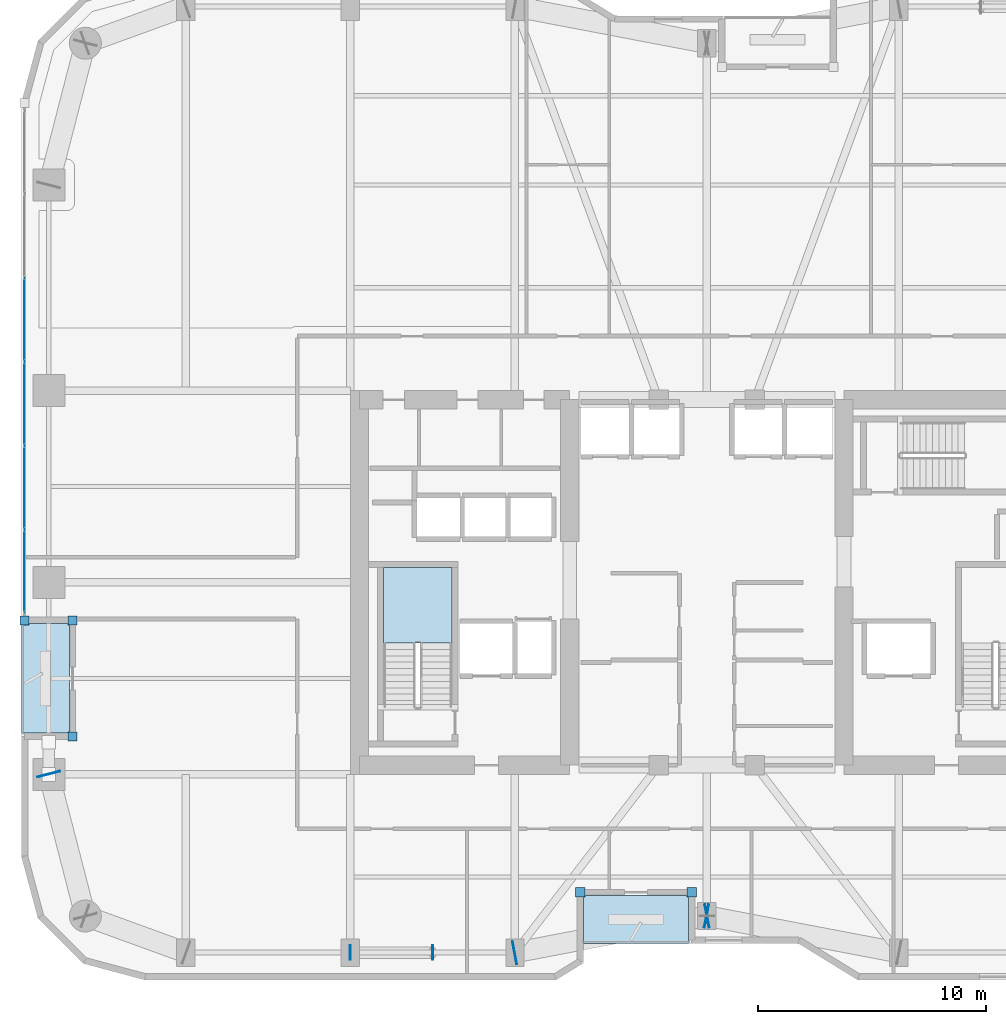
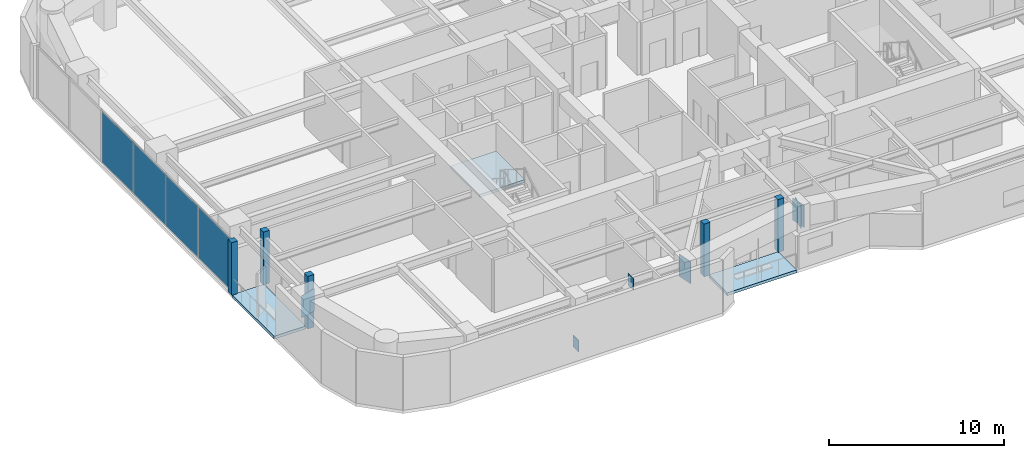
# One storey, part 21 of 31: 15 plates, 3 slabs, 2 elements without a shape of their own.
"""IFC4 building model written with IfcOpenShell, lengths in metres."""

from ifc_helpers import new_model, si_unit, direction, frame, origin, origin_2d, place, context, subcontext, project, spatial, polyline, rectangle, outline, extrude, material, layer, layer_set, type_object, element, aggregate, save


model = new_model("IFC4")

# Units and contexts
model_context = context("Model", 3, precision=1e-05, world=origin(), true_north=direction((0.0, 1.0)))
body_context = subcontext(model_context, "Body", "Model", "MODEL_VIEW")
ifc_project = project(units=[si_unit("LENGTHUNIT", "METRE"), si_unit("AREAUNIT", "SQUARE_METRE"), si_unit("VOLUMEUNIT", "CUBIC_METRE"), si_unit("PLANEANGLEUNIT", "RADIAN"), si_unit("MASSUNIT", "GRAM", prefix="KILO")], contexts=[model_context])

# Site, building, storey
site_placement = place(None, origin())
site = spatial("IfcSite", under=ifc_project, at=site_placement, CompositionType="ELEMENT")
building_placement = place(site_placement, origin())
building = spatial("IfcBuilding", under=site, at=building_placement, Name="Kiyonajd Concourse Tower", CompositionType="ELEMENT")
storey_placement = place(building_placement, frame((0.0, 0.0, 158.39990234375)))
storey = spatial("IfcBuildingStorey", under=building, at=storey_placement, Name="L40", CompositionType="ELEMENT", Elevation=158.39990234375)

# Plates
ifc_material_1 = material(Name="Steel ASTM A572 Grade 50", Category="steel")
ifc_layer_1 = layer(ifc_material_1, 0.028076171875)
ifc_layer_set_1 = layer_set([ifc_layer_1], Name="Steel ASTM A572 Grade 50")
plate_type_1 = type_object("IfcPlateType", Name="PL-CAP-450", PredefinedType="USERDEFINED", material=ifc_layer_set_1)
for number, where, z_axis, x_axis, name in (
    (1, (32.3916015625, 19.800048828125, -0.10888671875), (0.0, 0.0, 1.0), (-1.0, 0.0, 0.0), "L40 Hollow Brace End Cap Plate PBS"),
    (2, (36.00830078125, 19.800048828125, 2.93505859375), (0.0, 0.0, 1.0), (1.0, 0.0, 0.0), "L40 Hollow Brace Top Cap Plate PBS"),
):
    element("IfcPlate", number, at=place(storey_placement, frame(where, z_axis=z_axis, x_axis=x_axis)), inside=storey, type_object=plate_type_1, Name=name, ObjectType="CAP PLATE", PredefinedType="USERDEFINED", context=body_context, shape_type="SweptSolid", body=[
        extrude(rectangle(XDim=0.035888671875, YDim=0.6279296875, at=origin_2d()), origin(), (0.0, 0.0, 1.0), 0.803955078125),
    ])
ifc_layer_2 = layer(ifc_material_1, 0.031982421875)
ifc_layer_set_2 = layer_set([ifc_layer_2], Name="Steel ASTM A572 Grade 50")
plate_type_2 = type_object("IfcPlateType", Name="PL-CAP-540", PredefinedType="USERDEFINED", material=ifc_layer_set_2)
for number, where, z_axis, x_axis, name in (
    (3, (19.197265625, 27.610595703125, 2.2099609375), (0.0, 0.0, 1.0), (-0.249873048837, 0.968278606324, 0.0), "L40 Welded Box Girder End Cap"),
    (4, (39.589111328125, 19.7978515625, 2.2099609375), (0.0, 0.0, 1.0), (-0.982352599301, -0.187038420242, 0.0), "L40 Welded Box Girder End Cap"),
    (5, (48.0107421875, 21.402099609375, 2.2099609375), (0.0, 0.0, 1.0), (0.982352599301, 0.187038420242, 0.0), "L40 Welded Box Girder End Cap"),
    (6, (47.9892578125, 21.402099609375, 2.2099609375), (0.0, 0.0, 1.0), (-0.982352599301, 0.187038420242, 0.0), "L40 Welded Box Girder End Cap"),
):
    element("IfcPlate", number, at=place(storey_placement, frame(where, z_axis=z_axis, x_axis=x_axis)), inside=storey, type_object=plate_type_2, Name=name, ObjectType="CAP PLATE", PredefinedType="USERDEFINED", context=body_context, shape_type="SweptSolid", body=[
        extrude(rectangle(XDim=0.035888671875, YDim=1.02001953125, at=origin_2d()), origin(), (0.0, 0.0, 1.0), 1.5400390625),
    ])

# Curtain wall, plates
ifc_material_2 = material(Name="Thermally Broken Anodised Aluminium", Category="aluminium")
ifc_layer_3 = layer(ifc_material_2, 0.179931640625)
ifc_layer_set_3 = layer_set([ifc_layer_3], Name="Thermally Broken Anodised Aluminium")
curtain_wall_type = type_object("IfcCurtainWallType", Name="CW-SYS-03", PredefinedType="NOTDEFINED", material=ifc_layer_set_3)
curtain_wall_placement = place(storey_placement, origin())
curtain_wall = element("IfcCurtainWall", 7, at=curtain_wall_placement, inside=storey, type_object=curtain_wall_type, Name="L40 Unitised Curtain Wall CW3", PredefinedType="NOTDEFINED")
ifc_material_3 = material(Name="Double Low-E Insulated Glass", Category="glass")
ifc_layer_4 = layer(ifc_material_3, 0.033935546875)
ifc_layer_set_4 = layer_set([ifc_layer_4], Name="Double Low-E Insulated Glass")
plate_type_3 = type_object("IfcPlateType", Name="PL-CW-VIS34", PredefinedType="CURTAIN_PANEL", material=ifc_layer_set_4)
plate_1_placement = place(storey_placement, frame((18.139892578125, 36.484619140625, 0.06494140625), z_axis=(0.0, 0.0, 1.0), x_axis=(0.0, 1.0, 0.0)))
plate_1 = element("IfcPlate", 8, at=plate_1_placement, type_object=plate_type_3, Name="CW3 panel 1.1", PredefinedType="CURTAIN_PANEL", context=body_context, shape_type="SweptSolid", body=[
    extrude(rectangle(XDim=3.579345703125, YDim=0.033935546875, at=origin_2d()), origin(), (0.0, 0.0, 1.0), 3.550048828125),
])
plate_2_placement = place(storey_placement, frame((18.139892578125, 40.1455078125, 0.06494140625), z_axis=(0.0, 0.0, 1.0), x_axis=(0.0, 1.0, 0.0)))
plate_2 = element("IfcPlate", 9, at=plate_2_placement, type_object=plate_type_3, Name="CW3 panel 2.1", PredefinedType="CURTAIN_PANEL", context=body_context, shape_type="SweptSolid", body=[
    extrude(rectangle(XDim=3.61181640625, YDim=0.033935546875, at=origin_2d()), origin(), (0.0, 0.0, 1.0), 3.550048828125),
])
plate_3_placement = place(storey_placement, frame((18.139892578125, 43.822265625, 0.06494140625), z_axis=(0.0, 0.0, 1.0), x_axis=(0.0, 1.0, 0.0)))
plate_3 = element("IfcPlate", 10, at=plate_3_placement, type_object=plate_type_3, Name="CW3 panel 3.1", PredefinedType="CURTAIN_PANEL", context=body_context, shape_type="SweptSolid", body=[
    extrude(rectangle(XDim=3.61181640625, YDim=0.033935546875, at=origin_2d()), origin(), (0.0, 0.0, 1.0), 3.550048828125),
])
plate_4_placement = place(storey_placement, frame((18.139892578125, 47.499267578125, 0.06494140625), z_axis=(0.0, 0.0, 1.0), x_axis=(0.0, 1.0, 0.0)))
plate_4 = element("IfcPlate", 11, at=plate_4_placement, type_object=plate_type_3, Name="CW3 panel 4.1", PredefinedType="CURTAIN_PANEL", context=body_context, shape_type="SweptSolid", body=[
    extrude(rectangle(XDim=3.61181640625, YDim=0.033935546875, at=origin_2d()), origin(), (0.0, 0.0, 1.0), 3.550048828125),
])
aggregate(curtain_wall, [plate_1, plate_2, plate_3, plate_4])

# Plates
ifc_layer_5 = layer(ifc_material_2, 0.39990234375)
ifc_layer_set_5 = layer_set([ifc_layer_5], Name="Thermally Broken Anodised Aluminium")
plate_type_4 = type_object("IfcPlateType", Name="PL-JMB-400", PredefinedType="USERDEFINED", material=ifc_layer_set_5)
for number, where, z_axis, x_axis, name in (
    (12, (20.239990234375, 29.260009765625, 0.0), (0.0, 0.0, 1.0), (1.0, 0.0, 0.0), "L40 Facade Jamb Closure Plate 01"),
    (13, (20.239990234375, 34.340087890625, 0.0), (0.0, 0.0, 1.0), (1.0, 0.0, 0.0), "L40 Facade Jamb Closure Plate 02"),
    (14, (18.139892578125, 34.340087890625, 0.0), (0.0, 0.0, 1.0), (1.0, 0.0, 0.0), "L40 Facade Jamb Closure Plate 03"),
    (15, (47.340087890625, 22.43994140625, 0.0), (0.0, 0.0, 1.0), (1.0, 0.0, 0.0), "L40 Facade Jamb Closure Plate 13"),
    (16, (42.4599609375, 22.43994140625, 0.0), (0.0, 0.0, 1.0), (1.0, 0.0, 0.0), "L40 Facade Jamb Closure Plate 14"),
):
    element("IfcPlate", number, at=place(storey_placement, frame(where, z_axis=z_axis, x_axis=x_axis)), inside=storey, type_object=plate_type_4, Name=name, ObjectType="JAMB PLATE", PredefinedType="USERDEFINED", context=body_context, shape_type="SweptSolid", body=[
        extrude(rectangle(XDim=0.39990234375, YDim=0.39990234375, at=origin_2d()), origin(), (0.0, 0.0, 1.0), 3.679931640625),
    ])

# Stair, slab
ifc_material_4 = material(Name="Concrete C40/50", Category="concrete")
stair_type = type_object("IfcStairType", Name="ST-DLG-22R", PredefinedType="HALF_TURN_STAIR", material=ifc_material_4)
stair_placement = place(storey_placement, origin())
stair = element("IfcStair", 17, at=stair_placement, inside=storey, type_object=stair_type, Name="L40 Protected Exit Stair ST1", PredefinedType="HALF_TURN_STAIR")
ifc_layer_6 = layer(ifc_material_4, 0.199951171875)
ifc_layer_set_6 = layer_set([ifc_layer_6], Name="Concrete C40/50")
slab_type_1 = type_object("IfcSlabType", Name="SL-LND-200", PredefinedType="LANDING", material=ifc_layer_set_6)
slab_1_placement = place(storey_placement, frame((0.0, 0.0, 1.75)))
slab_1 = element("IfcSlab", 18, at=slab_1_placement, type_object=slab_type_1, Name="ST1 landing 1", PredefinedType="LANDING", context=body_context, shape_type="SweptSolid", body=[
    extrude(outline(polyline([(36.85009765625, 33.35009765625), (36.85009765625, 36.64990234375), (33.85009765625, 36.64990234375), (33.85009765625, 33.35009765625), (36.85009765625, 33.35009765625)])), origin(), (0.0, 0.0, 1.0), 0.2001953125),
])
aggregate(stair, [slab_1])

# Slabs
ifc_material_5 = material(Name="Precast concrete C50/60", Category="concrete")
ifc_layer_7 = layer(ifc_material_5, 0.199951171875)
ifc_layer_set_7 = layer_set([ifc_layer_7], Name="Precast concrete C50/60")
slab_type_2 = type_object("IfcSlabType", Name="SL-LOG-200", PredefinedType="FLOOR", material=ifc_layer_set_7)
slab_2_placement = place(storey_placement, frame((0.0, 0.0, -0.199951171875)))
element("IfcSlab", 19, at=slab_2_placement, inside=storey, type_object=slab_type_2, Name="L40 Recessed Engawa Loggia Terrace Slab LOG-S", PredefinedType="FLOOR", context=body_context, shape_type="SweptSolid", body=[
    extrude(outline(polyline([(42.60009765625, 20.199951171875), (47.199951171875, 20.199951171875), (47.199951171875, 22.300048828125), (42.60009765625, 22.300048828125), (42.60009765625, 20.199951171875)])), origin(), (0.0, 0.0, 1.0), 0.199951171875),
])
slab_3_placement = place(storey_placement, frame((0.0, 0.0, -0.199951171875)))
element("IfcSlab", 20, at=slab_3_placement, inside=storey, type_object=slab_type_2, Name="L40 Recessed Engawa Loggia Terrace Slab LOG-W", PredefinedType="FLOOR", context=body_context, shape_type="SweptSolid", body=[
    extrude(outline(polyline([(18.0, 29.39990234375), (20.10009765625, 29.39990234375), (20.10009765625, 34.199951171875), (18.0, 34.199951171875), (18.0, 29.39990234375)])), origin(), (0.0, 0.0, 1.0), 0.199951171875),
])

save(model, "model.ifc")
